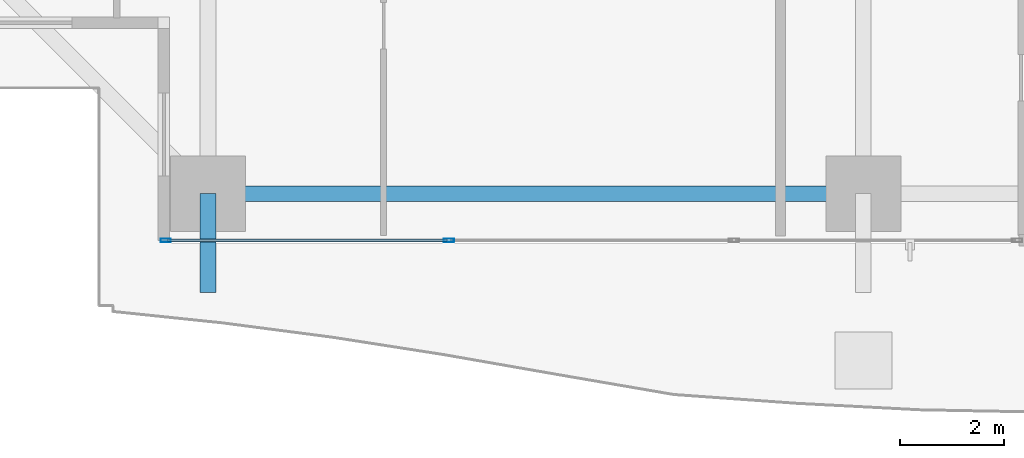
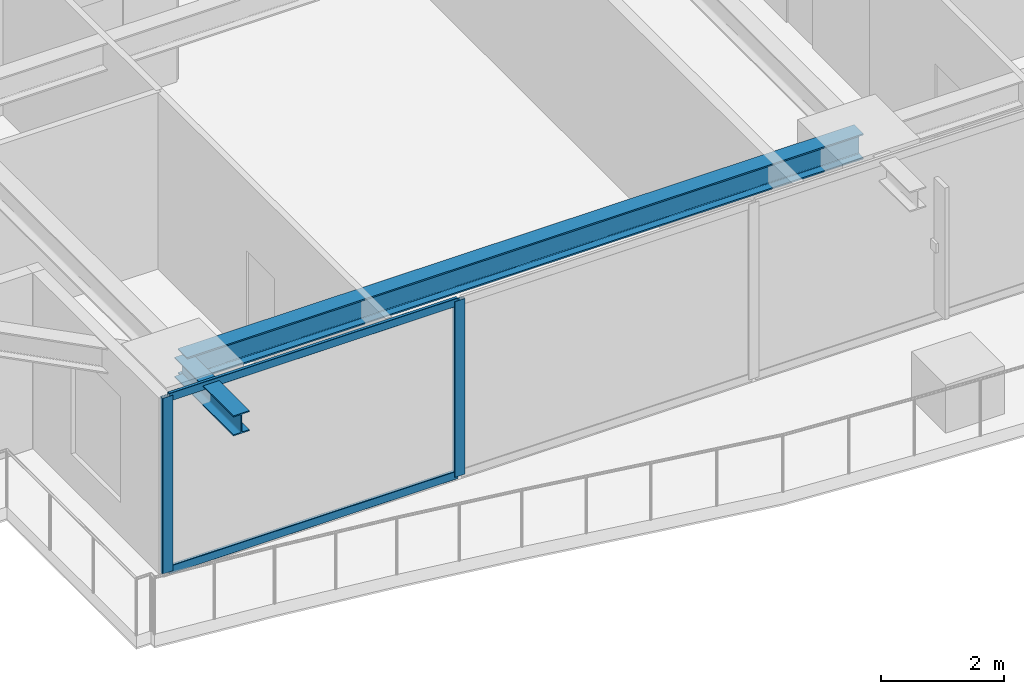
# One storey, part 2 of 39: 4 members, 2 beams, 1 element without a shape of its own.
"""IFC4 building model written with IfcOpenShell, lengths in metres."""

from ifc_helpers import new_model, si_unit, direction, frame, origin, origin_2d, place, context, subcontext, project, spatial, hollow_rectangle, i_section, extrude, source, transform, mapped, material, layer, layer_set, material_profile, profile_set, type_object, element, aggregate, save


model = new_model("IFC4")

# Units and contexts
model_context = context("Model", 3, precision=1e-05, world=origin(), true_north=direction((0.0, 1.0)))
body_context = subcontext(model_context, "Body", "Model", "MODEL_VIEW")
ifc_project = project(units=[si_unit("LENGTHUNIT", "METRE"), si_unit("AREAUNIT", "SQUARE_METRE"), si_unit("VOLUMEUNIT", "CUBIC_METRE"), si_unit("PLANEANGLEUNIT", "RADIAN"), si_unit("MASSUNIT", "GRAM", prefix="KILO")], contexts=[model_context])

# Site, building, storey
site_placement = place(None, origin())
site = spatial("IfcSite", under=ifc_project, at=site_placement, CompositionType="ELEMENT")
building_placement = place(site_placement, origin())
building = spatial("IfcBuilding", under=site, at=building_placement, Name="Serunith Strait Residences", CompositionType="ELEMENT")
storey_placement = place(building_placement, frame((0.0, 0.0, 64.199951171875)))
storey = spatial("IfcBuildingStorey", under=building, at=storey_placement, Name="L15", CompositionType="ELEMENT", Elevation=64.199951171875)

# Beams
ifc_material_1 = material(Name="Steel S355J2", Category="steel")
ifc_material_profile_1 = material_profile(ifc_material_1, i_section(OverallWidth=0.300048828125, OverallDepth=0.5, WebThickness=0.014404296875, FlangeThickness=0.028076171875, FilletRadius=0.027099609375, at=origin_2d()), Name="HEB 500")
ifc_profile_set_1 = profile_set([ifc_material_profile_1], Name="Steel S355J2")
beam_type_1 = type_object("IfcBeamType", Name="BM-HEB500", PredefinedType="BEAM", material=ifc_profile_set_1)
shared_shape_1 = source(origin(), body_context, "Body", "SweptSolid", [
    extrude(i_section(OverallWidth=0.300048828125, OverallDepth=0.5, WebThickness=0.014404296875, FlangeThickness=0.028076171875, FilletRadius=0.027099609375, at=origin_2d()), origin(), (0.0, 0.0, 1.0), 12.64990234375),
])
beam_1_placement = place(storey_placement, frame((15.25, 1.10009765625, 3.237060546875), z_axis=(1.0, 0.0, 0.0), x_axis=(0.0, 1.0, 0.0)))
element("IfcBeam", 1, at=beam_1_placement, inside=storey, type_object=beam_type_1, Name="L15 Perimeter Ring Beam 01", PredefinedType="BEAM", context=body_context, shape_type="MappedRepresentation", body=[
    mapped(shared_shape_1, transform((0.0, 0.0, 0.0), scale=1.0)),
])
ifc_material_profile_2 = material_profile(ifc_material_1, i_section(OverallWidth=0.300048828125, OverallDepth=0.39990234375, WebThickness=0.013427734375, FlangeThickness=0.02392578125, FilletRadius=0.027099609375, at=origin_2d()), Name="HEB 400")
ifc_profile_set_2 = profile_set([ifc_material_profile_2], Name="Steel S355J2")
beam_type_2 = type_object("IfcBeamType", Name="BM-HEB400", PredefinedType="BEAM", material=ifc_profile_set_2)
shared_shape_2 = source(origin(), body_context, "Body", "SweptSolid", [
    extrude(i_section(OverallWidth=0.300048828125, OverallDepth=0.39990234375, WebThickness=0.013427734375, FlangeThickness=0.02392578125, FilletRadius=0.027099609375, at=origin_2d()), origin(), (0.0, 0.0, 1.0), 1.91015625),
])
beam_2_placement = place(storey_placement, frame((15.25, 1.10009765625, 3.257080078125), z_axis=(0.0, -1.0, 0.0), x_axis=(1.0, 0.0, 0.0)))
element("IfcBeam", 2, at=beam_2_placement, inside=storey, type_object=beam_type_2, Name="L16 Cantilevered Balcony Rib TC-S1", PredefinedType="BEAM", context=body_context, shape_type="MappedRepresentation", body=[
    mapped(shared_shape_2, transform((0.0, 0.0, 0.0), scale=1.0)),
])

# Curtain wall, members
ifc_material_2 = material(Name="Pale-Champagne Anodised Aluminium", Category="aluminium")
ifc_layer = layer(ifc_material_2, 0.199951171875, Name="Pale-Champagne Anodised Aluminium")
ifc_layer_set = layer_set([ifc_layer], Name="Pale-Champagne Anodised Aluminium")
curtain_wall_type = type_object("IfcCurtainWallType", Name="CW-SYS1", PredefinedType="NOTDEFINED", material=ifc_layer_set)
curtain_wall_placement = place(storey_placement, origin())
curtain_wall = element("IfcCurtainWall", 3, at=curtain_wall_placement, inside=storey, type_object=curtain_wall_type, Name="L15 S Unitised Fritted Curtain Wall", PredefinedType="NOTDEFINED")
ifc_material_profile_3 = material_profile(ifc_material_2, hollow_rectangle(XDim=0.070068359375, YDim=0.199951171875, WallThickness=0.00390625, InnerFilletRadius=0.006103515625, OuterFilletRadius=0.010009765625, at=origin_2d()), Name="ALU 200x70x4")
ifc_profile_set_3 = profile_set([ifc_material_profile_3], Name="Pale-Champagne Anodised Aluminium")
member_type_1 = type_object("IfcMemberType", Name="CW-SYS1-MULL", PredefinedType="MULLION", material=ifc_profile_set_3)
shared_shape_3 = source(origin(), body_context, "Body", "SweptSolid", [
    extrude(hollow_rectangle(XDim=0.070068359375, YDim=0.199951171875, WallThickness=0.00390625, InnerFilletRadius=0.006103515625, OuterFilletRadius=0.010009765625, at=origin_2d()), origin(), (0.0, 0.0, 1.0), 3.47509765625),
])
member_1_placement = place(storey_placement, frame((14.43505859375, 0.199951171875, 0.0), z_axis=(0.0, 0.0, 1.0), x_axis=(0.0, 1.0, 0.0)))
member_1 = element("IfcMember", 4, at=member_1_placement, type_object=member_type_1, Name="CW-1 mullion 1", PredefinedType="MULLION", context=body_context, shape_type="MappedRepresentation", body=[
    mapped(shared_shape_3, transform((0.0, 0.0, 0.0), scale=1.0)),
])
member_2_placement = place(storey_placement, frame((19.89990234375, 0.199951171875, 0.0), z_axis=(0.0, 0.0, 1.0), x_axis=(0.0, 1.0, 0.0)))
member_2 = element("IfcMember", 5, at=member_2_placement, type_object=member_type_1, Name="CW-1 mullion 2", PredefinedType="MULLION", context=body_context, shape_type="MappedRepresentation", body=[
    mapped(shared_shape_3, transform((0.0, 0.0, 0.0), scale=1.0)),
])
ifc_material_profile_4 = material_profile(ifc_material_2, hollow_rectangle(XDim=0.06005859375, YDim=0.159912109375, WallThickness=0.00341796875, InnerFilletRadius=0.00537109375, OuterFilletRadius=0.0087890625, at=origin_2d()), Name="ALU 160x60x3.5")
ifc_profile_set_4 = profile_set([ifc_material_profile_4], Name="Pale-Champagne Anodised Aluminium")
member_type_2 = type_object("IfcMemberType", Name="CW-SYS1-TRAN", PredefinedType="USERDEFINED", material=ifc_profile_set_4)
shared_shape_4 = source(origin(), body_context, "Body", "SweptSolid", [
    extrude(hollow_rectangle(XDim=0.06005859375, YDim=0.159912109375, WallThickness=0.00341796875, InnerFilletRadius=0.00537109375, OuterFilletRadius=0.0087890625, at=origin_2d()), origin(), (0.0, 0.0, 1.0), 5.39501953125),
])
member_3_placement = place(storey_placement, frame((14.469970703125, 0.199951171875, 0.030029296875), z_axis=(1.0, 0.0, 0.0), x_axis=(0.0, 1.0, 0.0)))
member_3 = element("IfcMember", 6, at=member_3_placement, type_object=member_type_2, Name="CW-1 transom 1.1", ObjectType="TRANSOM", PredefinedType="USERDEFINED", context=body_context, shape_type="MappedRepresentation", body=[
    mapped(shared_shape_4, transform((0.0, 0.0, 0.0), scale=1.0)),
])
member_4_placement = place(storey_placement, frame((14.469970703125, 0.199951171875, 3.445068359375), z_axis=(1.0, 0.0, 0.0), x_axis=(0.0, 1.0, 0.0)))
member_4 = element("IfcMember", 7, at=member_4_placement, type_object=member_type_2, Name="CW-1 transom 1.2", ObjectType="TRANSOM", PredefinedType="USERDEFINED", context=body_context, shape_type="MappedRepresentation", body=[
    mapped(shared_shape_4, transform((0.0, 0.0, 0.0), scale=1.0)),
])
aggregate(curtain_wall, [member_1, member_2, member_3, member_4])

save(model, "model.ifc")
